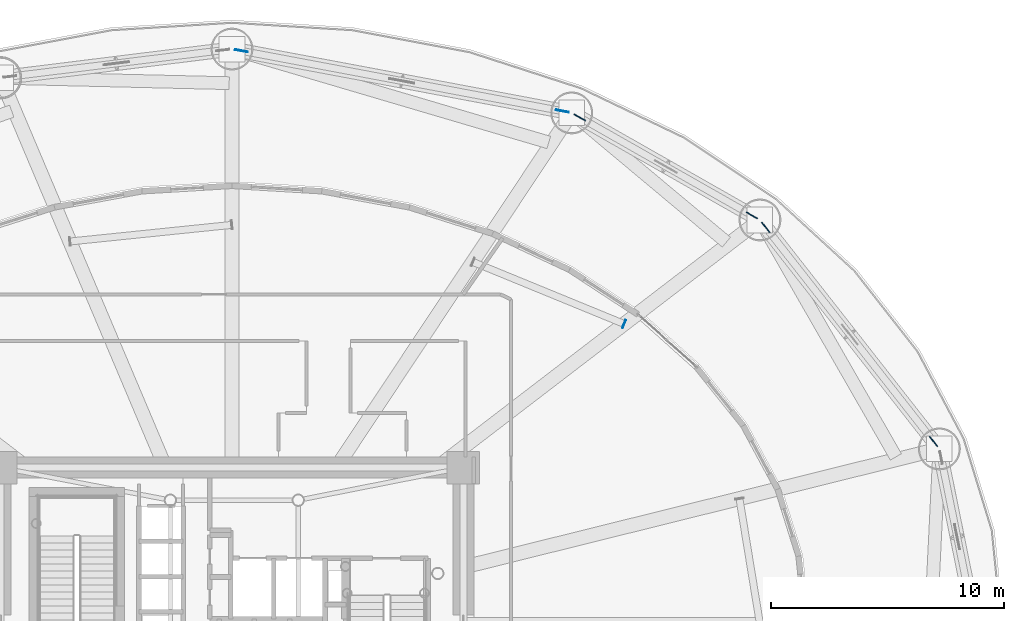
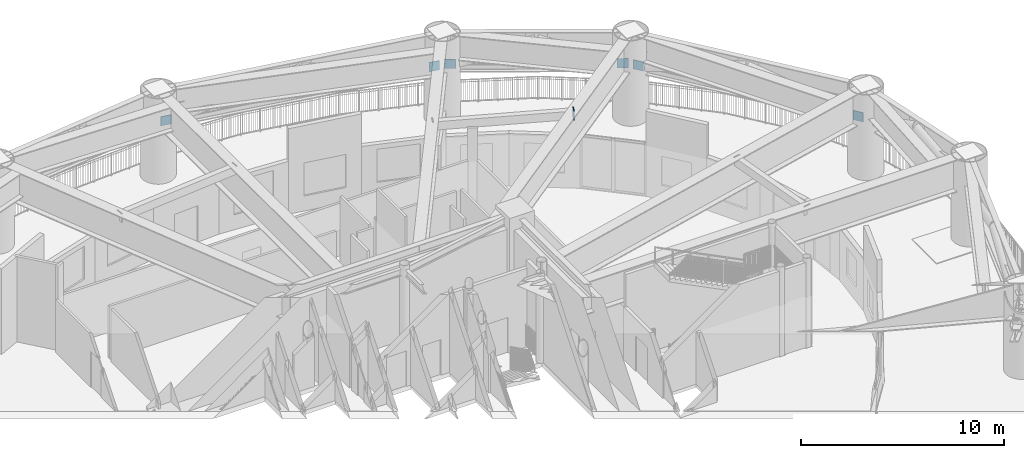
# One storey, part 21 of 39: 7 plates.
"""IFC4 building model written with IfcOpenShell, lengths in metres."""

from ifc_helpers import new_model, si_unit, direction, frame, origin, origin_2d, place, context, subcontext, project, spatial, rectangle, extrude, source, transform, mapped, material, layer, layer_set, type_object, element, save


model = new_model("IFC4")

# Units and contexts
model_context = context("Model", 3, precision=1e-05, world=origin(), true_north=direction((0.0, 1.0)))
body_context = subcontext(model_context, "Body", "Model", "MODEL_VIEW")
ifc_project = project(units=[si_unit("LENGTHUNIT", "METRE"), si_unit("AREAUNIT", "SQUARE_METRE"), si_unit("VOLUMEUNIT", "CUBIC_METRE"), si_unit("PLANEANGLEUNIT", "RADIAN"), si_unit("MASSUNIT", "GRAM", prefix="KILO")], contexts=[model_context])

# Site, building, storey
site_placement = place(None, origin())
site = spatial("IfcSite", under=ifc_project, at=site_placement, CompositionType="ELEMENT")
building_placement = place(site_placement, origin())
building = spatial("IfcBuilding", under=site, at=building_placement, Name="Linh Dai School and Residence Tower", CompositionType="ELEMENT")
storey_placement = place(building_placement, frame((0.0, 0.0, 27.0)))
storey = spatial("IfcBuildingStorey", under=building, at=storey_placement, Name="L06", CompositionType="ELEMENT", Elevation=27.0)

# Plates
ifc_material = material(Name="Structural Steel S355JR", Category="steel")
ifc_layer = layer(ifc_material, 0.0400390625)
ifc_layer_set = layer_set([ifc_layer], Name="Structural Steel S355JR")
plate_type = type_object("IfcPlateType", Name="PLT-GP1", PredefinedType="USERDEFINED", material=ifc_layer_set)
shared_shape_1 = source(origin(), body_context, "Body", "SweptSolid", [
    extrude(rectangle(XDim=0.0400390625, YDim=0.3798828125, at=origin_2d()), origin(), (0.0, 0.0, 1.0), 0.5400390625),
])
plate_placement = place(storey_placement, frame((52.86376953125, 39.92919921875, 4.6298828125), z_axis=(0.0, 0.0, 1.0), x_axis=(-0.925232467292, 0.379400687228, 0.0)))
element("IfcPlate", 1, at=plate_placement, inside=storey, type_object=plate_type, Name="L06 Secondary Beam End Plate 02A", ObjectType="GUSSET PLATE", PredefinedType="USERDEFINED", context=body_context, shape_type="MappedRepresentation", body=[
    mapped(shared_shape_1, transform((0.0, 0.0, 0.0), x_axis=(1.0, 0.0, 0.0), y_axis=(0.0, 1.0, 0.0), z_axis=(0.0, 0.0, 1.0), scale=1.0)),
])
shared_shape_2 = source(origin(), body_context, "Body", "SweptSolid", [
    extrude(rectangle(XDim=0.550048828125, YDim=0.0400390625, at=origin_2d()), origin(), (0.0, 0.0, 1.0), 0.550048828125),
])
for number, where, z_axis, x_axis, name in (
    (2, (66.16943359375, 34.875732421875, 2.87890625), (0.0, 0.0, 1.0), (-0.616818943484, 0.787105069834, 0.0), "L06 Belt Truss BT1 Root End Gusset 02A"),
    (3, (58.956298828125, 44.080322265625, 2.87890625), (0.0, 0.0, 1.0), (-0.616818943484, 0.787105069834, 0.0), "L06 Belt Truss BT1 Root End Gusset 02B"),
    (4, (58.35986328125, 44.596923828125, 2.91162109375), (0.0, 0.0, 1.0), (-0.869247655355, 0.494376894343, 0.0), "L06 Belt Truss BT1 Root End Gusset 03A"),
    (5, (50.95458984375, 48.808837890625, 2.91162109375), (0.0, 0.0, 1.0), (-0.869247655355, 0.494376894343, 0.0), "L06 Belt Truss BT1 Root End Gusset 03B"),
    (6, (50.20556640625, 49.0810546875, 2.86328125), (0.0, 0.0, 1.0), (-0.982804039989, 0.184651615161, 0.0), "L06 Belt Truss BT1 Root End Gusset 04A"),
    (7, (36.403564453125, 51.674072265625, 2.86328125), (0.0, 0.0, 1.0), (-0.982804039989, 0.184651615161, 0.0), "L06 Belt Truss BT1 Root End Gusset 04B"),
):
    element("IfcPlate", number, at=place(storey_placement, frame(where, z_axis=z_axis, x_axis=x_axis)), inside=storey, type_object=plate_type, Name=name, ObjectType="GUSSET PLATE", PredefinedType="USERDEFINED", context=body_context, shape_type="MappedRepresentation", body=[
        mapped(shared_shape_2, transform((0.0, 0.0, 0.0), x_axis=(1.0, 0.0, 0.0), y_axis=(0.0, 1.0, 0.0), z_axis=(0.0, 0.0, 1.0), scale=1.0)),
    ])

save(model, "model.ifc")
